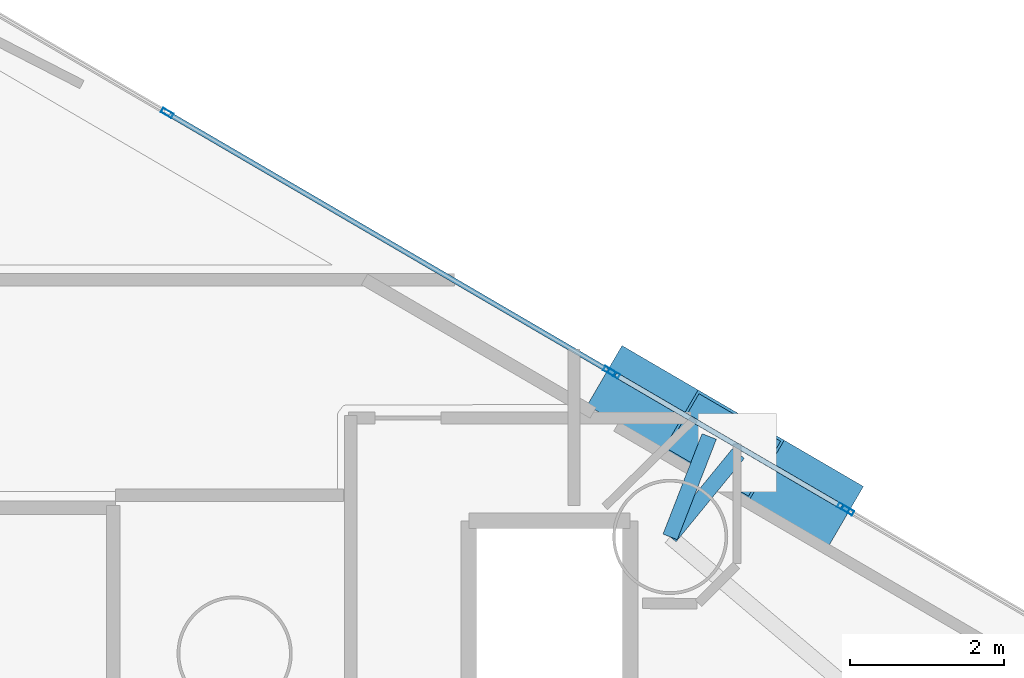
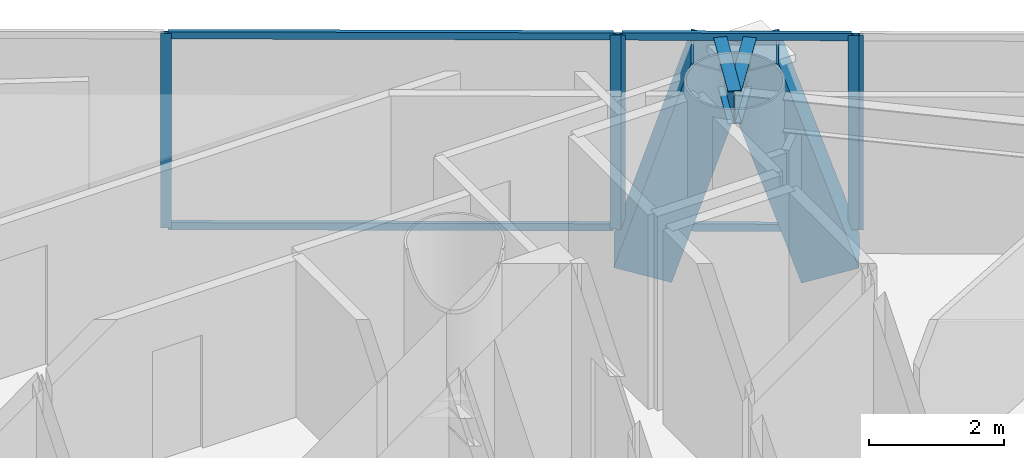
# One storey, part 10 of 19: 11 members, 2 beams, 3 elements without a shape of their own.
"""IFC4 building model written with IfcOpenShell, lengths in metres."""

from ifc_helpers import new_model, si_unit, direction, frame, origin, origin_2d, place, context, subcontext, project, spatial, hollow_rectangle, i_section, extrude, material, layer, layer_set, material_profile, profile_set, type_object, element, aggregate, save


model = new_model("IFC4")

# Units and contexts
model_context = context("Model", 3, precision=1e-05, world=origin(), true_north=direction((0.0, 1.0)))
body_context = subcontext(model_context, "Body", "Model", "MODEL_VIEW")
ifc_project = project(units=[si_unit("LENGTHUNIT", "METRE"), si_unit("AREAUNIT", "SQUARE_METRE"), si_unit("VOLUMEUNIT", "CUBIC_METRE"), si_unit("PLANEANGLEUNIT", "RADIAN"), si_unit("MASSUNIT", "GRAM", prefix="KILO")], contexts=[model_context])

# Site, building, storey
site_placement = place(None, origin())
site = spatial("IfcSite", under=ifc_project, at=site_placement, CompositionType="ELEMENT")
building_placement = place(site_placement, origin())
building = spatial("IfcBuilding", under=site, at=building_placement, Name="Qianvela Tower", CompositionType="ELEMENT")
storey_placement = place(building_placement, frame((0.0, 0.0, 120.0)))
storey = spatial("IfcBuildingStorey", under=building, at=storey_placement, Name="L30", CompositionType="ELEMENT", Elevation=120.0)

# Beams
ifc_material_1 = material(Name="Steel Q355B", Category="steel")
ifc_material_profile_1 = material_profile(ifc_material_1, i_section(OverallWidth=0.199951171875, OverallDepth=0.60009765625, WebThickness=0.010986328125, FlangeThickness=0.01708984375, at=origin_2d()), Name="HN600x200x11x17")
ifc_profile_set_1 = profile_set([ifc_material_profile_1], Name="Steel Q355B")
beam_type = type_object("IfcBeamType", Name="BM-HN600-GIRD", PredefinedType="BEAM", material=ifc_profile_set_1)
for number, where, z_axis, x_axis, name in (
    (1, (44.071044921875, 35.070068359375, 3.218017578125), (0.633294649789, 0.773910774282, 0.0), (-0.773910774282, 0.633294649789, 0.0), "L30 Mega-Brace Column Tie Bracket F1-1"),
    (2, (44.071044921875, 35.070068359375, 3.218017578125), (0.362521847657, 0.931975273262, 0.0), (-0.931975273262, 0.362521847657, 0.0), "L30 Mega-Brace Column Tie Bracket F1-2"),
):
    element("IfcBeam", number, at=place(storey_placement, frame(where, z_axis=z_axis, x_axis=x_axis)), inside=storey, type_object=beam_type, Name=name, PredefinedType="BEAM", context=body_context, shape_type="SweptSolid", body=[
        extrude(i_section(OverallWidth=0.199951171875, OverallDepth=0.60009765625, WebThickness=0.010986328125, FlangeThickness=0.01708984375, at=origin_2d()), origin(), (0.0, 0.0, 1.0), 1.40283203125),
    ])

# Curtain wall, members
ifc_material_2 = material(Name="Anodised Architectural Aluminium and Insulated Spandrel Panel", Category="aluminium")
ifc_layer_1 = layer(ifc_material_2, 0.179931640625)
ifc_layer_set_1 = layer_set([ifc_layer_1], Name="Anodised Architectural Aluminium and Insulated Spandrel Panel")
curtain_wall_type_1 = type_object("IfcCurtainWallType", Name="CW-BRACEBAY", PredefinedType="USERDEFINED", material=ifc_layer_set_1)
curtain_wall_1_placement = place(storey_placement, origin())
curtain_wall_1 = element("IfcCurtainWall", 3, at=curtain_wall_1_placement, inside=storey, type_object=curtain_wall_type_1, Name="L30 CW-BRACEBAY Curtain Wall 02B", ObjectType="CURTAIN_WALL_SYSTEM", PredefinedType="USERDEFINED")
ifc_material_3 = material(Name="Anodised Architectural Aluminium 6063-T6", Category="aluminium")
ifc_material_profile_2 = material_profile(ifc_material_3, hollow_rectangle(XDim=0.06494140625, YDim=0.159912109375, WallThickness=0.0048828125, at=origin_2d()), Name="ALU-MULL-65x160")
ifc_profile_set_2 = profile_set([ifc_material_profile_2], Name="Anodised Architectural Aluminium 6063-T6")
member_type_1 = type_object("IfcMemberType", Name="CW-BRACEBAY-MULL", PredefinedType="MULLION", material=ifc_profile_set_2)
member_1_placement = place(storey_placement, frame((46.328369140625, 35.44921875, 0.0), z_axis=(0.0, 0.0, 1.0), x_axis=(-0.504101743584, -0.863644274059, 0.0)))
member_1 = element("IfcMember", 4, at=member_1_placement, type_object=member_type_1, Name="CW-9 mullion 1", PredefinedType="MULLION", context=body_context, shape_type="SweptSolid", body=[
    extrude(hollow_rectangle(XDim=0.06494140625, YDim=0.159912109375, WallThickness=0.0048828125, at=origin_2d()), origin(), (0.0, 0.0, 1.0), 3.52001953125),
])
member_2_placement = place(storey_placement, frame((43.3359375, 37.196044921875, 0.0), z_axis=(0.0, 0.0, 1.0), x_axis=(-0.504101743584, -0.863644274059, 0.0)))
member_2 = element("IfcMember", 5, at=member_2_placement, type_object=member_type_1, Name="CW-9 mullion 2", PredefinedType="MULLION", context=body_context, shape_type="SweptSolid", body=[
    extrude(hollow_rectangle(XDim=0.06494140625, YDim=0.159912109375, WallThickness=0.0048828125, at=origin_2d()), origin(), (0.0, 0.0, 1.0), 3.52001953125),
])
ifc_material_4 = material(Name="Anodised Architectural Aluminium 6063-T6", Category="aluminium")
ifc_material_profile_3 = material_profile(ifc_material_4, hollow_rectangle(XDim=0.06494140625, YDim=0.1298828125, WallThickness=0.00439453125, at=origin_2d()), Name="ALU-TRAN-65x130")
ifc_profile_set_3 = profile_set([ifc_material_profile_3], Name="Anodised Architectural Aluminium 6063-T6")
member_type_2 = type_object("IfcMemberType", Name="CW-BRACEBAY-TRAN", PredefinedType="USERDEFINED", material=ifc_profile_set_3)
member_3_placement = place(storey_placement, frame((46.30029296875, 35.465576171875, 0.032470703125), z_axis=(-0.86361477949, 0.50415227129, 0.0), x_axis=(-0.50415227129, -0.86361477949, 0.0)))
member_3 = element("IfcMember", 6, at=member_3_placement, type_object=member_type_2, Name="CW-9 transom 1.1", ObjectType="TRANSOM", PredefinedType="USERDEFINED", context=body_context, shape_type="SweptSolid", body=[
    extrude(hollow_rectangle(XDim=0.06494140625, YDim=0.1298828125, WallThickness=0.00439453125, at=origin_2d()), origin(), (0.0, 0.0, 1.0), 3.39990234375),
])
member_4_placement = place(storey_placement, frame((46.30029296875, 35.465576171875, 3.487548828125), z_axis=(-0.86361477949, 0.50415227129, 0.0), x_axis=(-0.50415227129, -0.86361477949, 0.0)))
member_4 = element("IfcMember", 7, at=member_4_placement, type_object=member_type_2, Name="CW-9 transom 1.2", ObjectType="TRANSOM", PredefinedType="USERDEFINED", context=body_context, shape_type="SweptSolid", body=[
    extrude(hollow_rectangle(XDim=0.06494140625, YDim=0.1298828125, WallThickness=0.00439453125, at=origin_2d()), origin(), (0.0, 0.0, 1.0), 3.39990234375),
])
aggregate(curtain_wall_1, [member_1, member_2, member_3, member_4])

# Curtain wall, member
ifc_material_5 = material(Name="Anodised Architectural Aluminium and Low-E Glass", Category="aluminium")
ifc_layer_2 = layer(ifc_material_5, 0.169921875)
ifc_layer_set_2 = layer_set([ifc_layer_2], Name="Anodised Architectural Aluminium and Low-E Glass")
curtain_wall_type_2 = type_object("IfcCurtainWallType", Name="CW-COLIV-Z34", PredefinedType="USERDEFINED", material=ifc_layer_set_2)
curtain_wall_2_placement = place(storey_placement, origin())
curtain_wall_2 = element("IfcCurtainWall", 8, at=curtain_wall_2_placement, inside=storey, type_object=curtain_wall_type_2, Name="L30 CW-COLIV-Z34 Curtain Wall 02A", ObjectType="CURTAIN_WALL_SYSTEM", PredefinedType="USERDEFINED")
ifc_material_6 = material(Name="Anodised Architectural Aluminium 6063-T6", Category="aluminium")
ifc_material_profile_4 = material_profile(ifc_material_6, hollow_rectangle(XDim=0.06494140625, YDim=0.159912109375, WallThickness=0.0048828125, at=origin_2d()), Name="ALU-MULL-65x160")
ifc_profile_set_4 = profile_set([ifc_material_profile_4], Name="Anodised Architectural Aluminium 6063-T6")
member_type_3 = type_object("IfcMemberType", Name="CW-COLIV-Z34-MULL", PredefinedType="MULLION", material=ifc_profile_set_4)
member_5_placement = place(storey_placement, frame((46.384521484375, 35.41650390625, 0.0), z_axis=(0.0, 0.0, 1.0), x_axis=(-0.504123255422, -0.863631717425, 0.0)))
member_5 = element("IfcMember", 9, at=member_5_placement, type_object=member_type_3, Name="CW-4 mullion 3", PredefinedType="MULLION", context=body_context, shape_type="SweptSolid", body=[
    extrude(hollow_rectangle(XDim=0.06494140625, YDim=0.159912109375, WallThickness=0.0048828125, at=origin_2d()), origin(), (0.0, 0.0, 1.0), 3.52001953125),
])
aggregate(curtain_wall_2, [member_5])

# Curtain wall, members
curtain_wall_3_placement = place(storey_placement, origin())
curtain_wall_3 = element("IfcCurtainWall", 10, at=curtain_wall_3_placement, inside=storey, type_object=curtain_wall_type_2, Name="L30 CW-COLIV-Z34 Curtain Wall 02C", ObjectType="CURTAIN_WALL_SYSTEM", PredefinedType="USERDEFINED")
member_6_placement = place(storey_placement, frame((43.27978515625, 37.228759765625, 0.0), z_axis=(0.0, 0.0, 1.0), x_axis=(-0.504123400276, -0.86363163287, 0.0)))
member_6 = element("IfcMember", 11, at=member_6_placement, type_object=member_type_3, Name="CW-4 mullion 1", PredefinedType="MULLION", context=body_context, shape_type="SweptSolid", body=[
    extrude(hollow_rectangle(XDim=0.06494140625, YDim=0.159912109375, WallThickness=0.0048828125, at=origin_2d()), origin(), (0.0, 0.0, 1.0), 3.52001953125),
])
member_7_placement = place(storey_placement, frame((37.52099609375, 40.59033203125, 0.0), z_axis=(0.0, 0.0, 1.0), x_axis=(-0.504123400276, -0.86363163287, 0.0)))
member_7 = element("IfcMember", 12, at=member_7_placement, type_object=member_type_3, Name="CW-4 mullion 2", PredefinedType="MULLION", context=body_context, shape_type="SweptSolid", body=[
    extrude(hollow_rectangle(XDim=0.06494140625, YDim=0.159912109375, WallThickness=0.0048828125, at=origin_2d()), origin(), (0.0, 0.0, 1.0), 3.52001953125),
])
ifc_material_7 = material(Name="Anodised Architectural Aluminium 6063-T6", Category="aluminium")
ifc_material_profile_5 = material_profile(ifc_material_7, hollow_rectangle(XDim=0.06494140625, YDim=0.1298828125, WallThickness=0.00439453125, at=origin_2d()), Name="ALU-TRAN-65x130")
ifc_profile_set_5 = profile_set([ifc_material_profile_5], Name="Anodised Architectural Aluminium 6063-T6")
member_type_4 = type_object("IfcMemberType", Name="CW-COLIV-Z34-TRAN", PredefinedType="USERDEFINED", material=ifc_profile_set_5)
member_8_placement = place(storey_placement, frame((43.251708984375, 37.2451171875, 0.032470703125), z_axis=(-0.863625986438, 0.504133073255, 0.0), x_axis=(-0.504133073255, -0.863625986438, 0.0)))
member_8 = element("IfcMember", 13, at=member_8_placement, type_object=member_type_4, Name="CW-4 transom 1.1", ObjectType="TRANSOM", PredefinedType="USERDEFINED", context=body_context, shape_type="SweptSolid", body=[
    extrude(hollow_rectangle(XDim=0.06494140625, YDim=0.1298828125, WallThickness=0.00439453125, at=origin_2d()), origin(), (0.0, 0.0, 1.0), 6.60302734375),
])
member_9_placement = place(storey_placement, frame((43.251708984375, 37.2451171875, 3.487548828125), z_axis=(-0.863625986438, 0.504133073255, 0.0), x_axis=(-0.504133073255, -0.863625986438, 0.0)))
member_9 = element("IfcMember", 14, at=member_9_placement, type_object=member_type_4, Name="CW-4 transom 1.2", ObjectType="TRANSOM", PredefinedType="USERDEFINED", context=body_context, shape_type="SweptSolid", body=[
    extrude(hollow_rectangle(XDim=0.06494140625, YDim=0.1298828125, WallThickness=0.00439453125, at=origin_2d()), origin(), (0.0, 0.0, 1.0), 6.60302734375),
])
aggregate(curtain_wall_3, [member_6, member_7, member_8, member_9])

# Members
ifc_material_8 = material(Name="Steel Q420GJC", Category="steel")
ifc_material_profile_6 = material_profile(ifc_material_8, hollow_rectangle(XDim=0.89990234375, YDim=0.89990234375, WallThickness=0.035888671875, at=origin_2d()), Name="MBOX-900x900x36")
ifc_profile_set_6 = profile_set([ifc_material_profile_6], Name="Steel Q420GJC")
member_type_5 = type_object("IfcMemberType", Name="MBR-MBRACE-900", PredefinedType="BRACE", material=ifc_profile_set_6)
member_10_placement = place(storey_placement, frame((45.990966796875, 35.5537109375, -0.48193359375), z_axis=(-0.265306027774, 0.154850808163, 0.95164801205), x_axis=(-0.504087075221, -0.86365283569, 0.0)))
element("IfcMember", 15, at=member_10_placement, inside=storey, type_object=member_type_5, Name="L30 Tier 5 Exterior Mega-Brace F1A", PredefinedType="BRACE", context=body_context, shape_type="SweptSolid", body=[
    extrude(hollow_rectangle(XDim=0.89990234375, YDim=0.89990234375, WallThickness=0.035888671875, at=origin_2d()), origin(), (0.0, 0.0, 1.0), 3.887939453125),
])
member_11_placement = place(storey_placement, frame((43.5888671875, 36.955810546875, -0.48193359375), z_axis=(0.255755063685, -0.149305999475, 0.955142432269), x_axis=(0.50416210331, 0.863609039778, 0.0)))
element("IfcMember", 16, at=member_11_placement, inside=storey, type_object=member_type_5, Name="L30 Tier 5 Exterior Mega-Brace F1B", PredefinedType="BRACE", context=body_context, shape_type="SweptSolid", body=[
    extrude(hollow_rectangle(XDim=0.89990234375, YDim=0.89990234375, WallThickness=0.035888671875, at=origin_2d()), origin(), (0.0, 0.0, 1.0), 3.873779296875),
])

save(model, "model.ifc")
